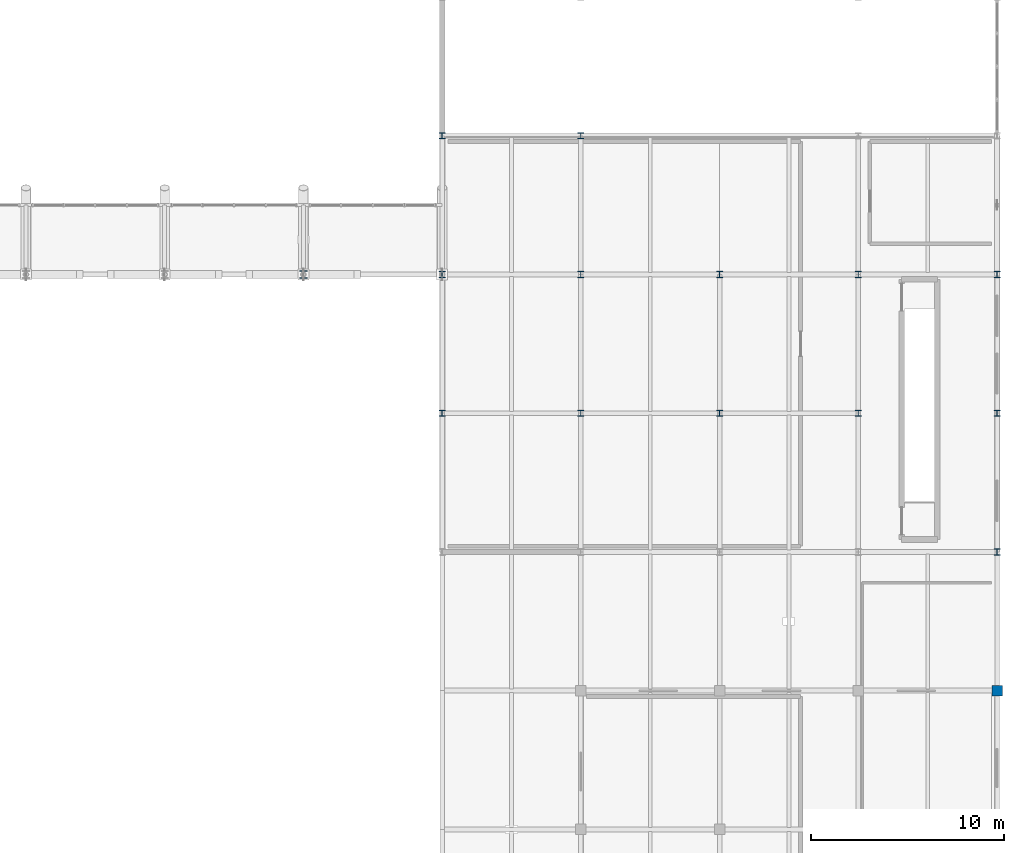
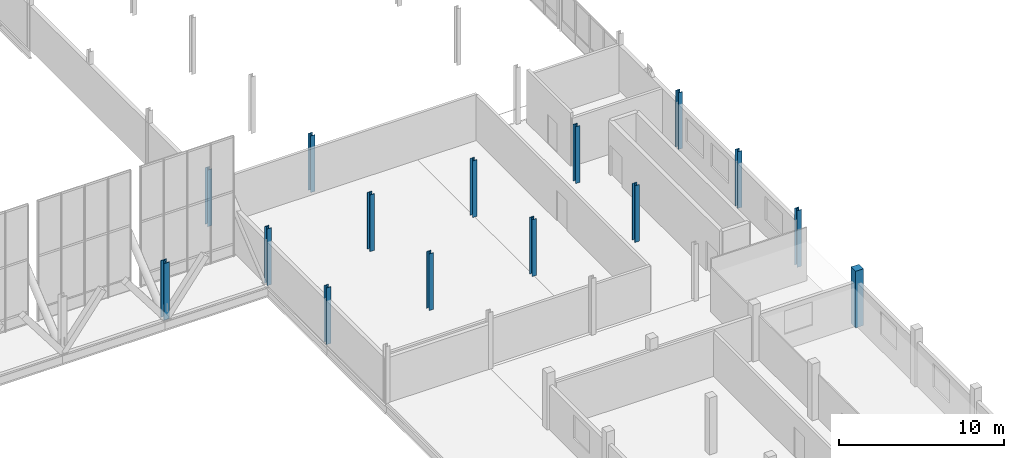
# One storey, part 6 of 102: 15 columns.
"""IFC4 building model written with IfcOpenShell, lengths in metres."""

from ifc_helpers import new_model, si_unit, direction, frame, origin, origin_2d, place, context, subcontext, project, spatial, rectangle, i_section, extrude, material, material_profile, profile_set, type_object, element, save


model = new_model("IFC4")

# Units and contexts
model_context = context("Model", 3, precision=1e-05, world=origin(), true_north=direction((0.0, 1.0)))
body_context = subcontext(model_context, "Body", "Model", "MODEL_VIEW")
ifc_project = project(units=[si_unit("LENGTHUNIT", "METRE"), si_unit("AREAUNIT", "SQUARE_METRE"), si_unit("VOLUMEUNIT", "CUBIC_METRE"), si_unit("PLANEANGLEUNIT", "RADIAN"), si_unit("MASSUNIT", "GRAM", prefix="KILO")], contexts=[model_context])

# Site, building, storey
site_placement = place(None, origin())
site = spatial("IfcSite", under=ifc_project, at=site_placement, CompositionType="ELEMENT")
building_placement = place(site_placement, origin())
building = spatial("IfcBuilding", under=site, at=building_placement, Name="Yarey Park Central Fire Station", CompositionType="ELEMENT")
storey_placement = place(building_placement, frame((0.0, 0.0, 6.0)))
storey = spatial("IfcBuildingStorey", under=building, at=storey_placement, Name="L02", CompositionType="ELEMENT", Elevation=6.0)

# Columns
ifc_material_1 = material(Name="Concrete C40/50", Category="concrete")
ifc_material_profile_1 = material_profile(ifc_material_1, rectangle(XDim=0.550048828125, YDim=0.550048828125, at=origin_2d()), Name="RC 550x550")
ifc_profile_set_1 = profile_set([ifc_material_profile_1], Name="Concrete C40/50")
column_type_1 = type_object("IfcColumnType", Name="STR_COL_RC550_EXT", PredefinedType="COLUMN", material=ifc_profile_set_1)
column_1_placement = place(storey_placement, frame((165.60009765625, 36.0, 0.0), z_axis=(0.0, 0.0, 1.0), x_axis=(1.0, 0.0, 0.0)))
element("IfcColumn", 1, at=column_1_placement, inside=storey, type_object=column_type_1, Name="COL_L02_X1656_Y360", PredefinedType="COLUMN", context=body_context, shape_type="SweptSolid", body=[
    extrude(rectangle(XDim=0.550048828125, YDim=0.550048828125, at=origin_2d()), origin(), (0.0, 0.0, 1.0), 4.199951171875),
])
ifc_material_2 = material(Name="Steel ASTM A992 Gr. 50", Category="steel")
ifc_material_profile_2 = material_profile(ifc_material_2, i_section(OverallWidth=0.30908203125, OverallDepth=0.322998046875, WebThickness=0.013916015625, FlangeThickness=0.02294921875, at=origin_2d()), Name="W310x143")
ifc_profile_set_2 = profile_set([ifc_material_profile_2], Name="Steel ASTM A992 Gr. 50")
column_type_2 = type_object("IfcColumnType", Name="STR_COL_W310_EXT", PredefinedType="COLUMN", material=ifc_profile_set_2)
for number, where, z_axis, x_axis, name in (
    (2, (136.800048828125, 50.39990234375, 0.0), (0.0, 0.0, 1.0), (1.0, 0.0, 0.0), "COL_L02_X1368_Y504"),
    (3, (136.800048828125, 57.60009765625, 0.0), (0.0, 0.0, 1.0), (1.0, 0.0, 0.0), "COL_L02_X1368_Y576"),
    (4, (136.800048828125, 64.800048828125, 0.0), (0.0, 0.0, 1.0), (1.0, 0.0, 0.0), "COL_L02_X1368_Y648"),
    (5, (165.60009765625, 43.199951171875, 0.0), (0.0, 0.0, 1.0), (1.0, 0.0, 0.0), "COL_L02_X1656_Y432"),
    (6, (165.60009765625, 50.39990234375, 0.0), (0.0, 0.0, 1.0), (1.0, 0.0, 0.0), "COL_L02_X1656_Y504"),
    (7, (165.60009765625, 57.60009765625, 0.0), (0.0, 0.0, 1.0), (1.0, 0.0, 0.0), "COL_L02_X1656_Y576"),
):
    element("IfcColumn", number, at=place(storey_placement, frame(where, z_axis=z_axis, x_axis=x_axis)), inside=storey, type_object=column_type_2, Name=name, PredefinedType="COLUMN", context=body_context, shape_type="SweptSolid", body=[
        extrude(i_section(OverallWidth=0.30908203125, OverallDepth=0.322998046875, WebThickness=0.013916015625, FlangeThickness=0.02294921875, at=origin_2d()), origin(), (0.0, 0.0, 1.0), 4.199951171875),
    ])
ifc_material_profile_3 = material_profile(ifc_material_2, i_section(OverallWidth=0.30908203125, OverallDepth=0.322998046875, WebThickness=0.013916015625, FlangeThickness=0.02294921875, at=origin_2d()), Name="W310x143")
ifc_profile_set_3 = profile_set([ifc_material_profile_3], Name="Steel ASTM A992 Gr. 50")
column_type_3 = type_object("IfcColumnType", Name="STR_COL_W310_INT", PredefinedType="COLUMN", material=ifc_profile_set_3)
for number, where, z_axis, x_axis, name in (
    (8, (144.0, 50.39990234375, 0.0), (0.0, 0.0, 1.0), (1.0, 0.0, 0.0), "COL_L02_X1440_Y504"),
    (9, (144.0, 57.60009765625, 0.0), (0.0, 0.0, 1.0), (1.0, 0.0, 0.0), "COL_L02_X1440_Y576"),
    (10, (144.0, 64.800048828125, 0.0), (0.0, 0.0, 1.0), (1.0, 0.0, 0.0), "COL_L02_X1440_Y648"),
    (11, (151.199951171875, 50.39990234375, 0.0), (0.0, 0.0, 1.0), (1.0, 0.0, 0.0), "COL_L02_X1512_Y504"),
    (12, (151.199951171875, 57.60009765625, 0.0), (0.0, 0.0, 1.0), (1.0, 0.0, 0.0), "COL_L02_X1512_Y576"),
    (13, (158.39990234375, 50.39990234375, 0.0), (0.0, 0.0, 1.0), (1.0, 0.0, 0.0), "COL_L02_X1584_Y504"),
    (14, (158.39990234375, 57.60009765625, 0.0), (0.0, 0.0, 1.0), (1.0, 0.0, 0.0), "COL_L02_X1584_Y576"),
):
    element("IfcColumn", number, at=place(storey_placement, frame(where, z_axis=z_axis, x_axis=x_axis)), inside=storey, type_object=column_type_3, Name=name, PredefinedType="COLUMN", context=body_context, shape_type="SweptSolid", body=[
        extrude(i_section(OverallWidth=0.30908203125, OverallDepth=0.322998046875, WebThickness=0.013916015625, FlangeThickness=0.02294921875, at=origin_2d()), origin(), (0.0, 0.0, 1.0), 4.199951171875),
    ])
ifc_material_profile_4 = material_profile(ifc_material_2, i_section(OverallWidth=0.404052734375, OverallDepth=0.406982421875, WebThickness=0.027099609375, FlangeThickness=0.043701171875, at=origin_2d()), Name="W360x347")
ifc_profile_set_4 = profile_set([ifc_material_profile_4], Name="Steel ASTM A992 Gr. 50")
column_type_4 = type_object("IfcColumnType", Name="STR_COL_W360_EXT", PredefinedType="COLUMN", material=ifc_profile_set_4)
column_2_placement = place(storey_placement, frame((129.60009765625, 57.60009765625, 0.0), z_axis=(0.0, 0.0, 1.0), x_axis=(1.0, 0.0, 0.0)))
element("IfcColumn", 15, at=column_2_placement, inside=storey, type_object=column_type_4, Name="V2_SCR_POST_S_L02_129", PredefinedType="COLUMN", context=body_context, shape_type="SweptSolid", body=[
    extrude(i_section(OverallWidth=0.404052734375, OverallDepth=0.406982421875, WebThickness=0.027099609375, FlangeThickness=0.043701171875, at=origin_2d()), origin(), (0.0, 0.0, 1.0), 4.199951171875),
])

save(model, "model.ifc")
